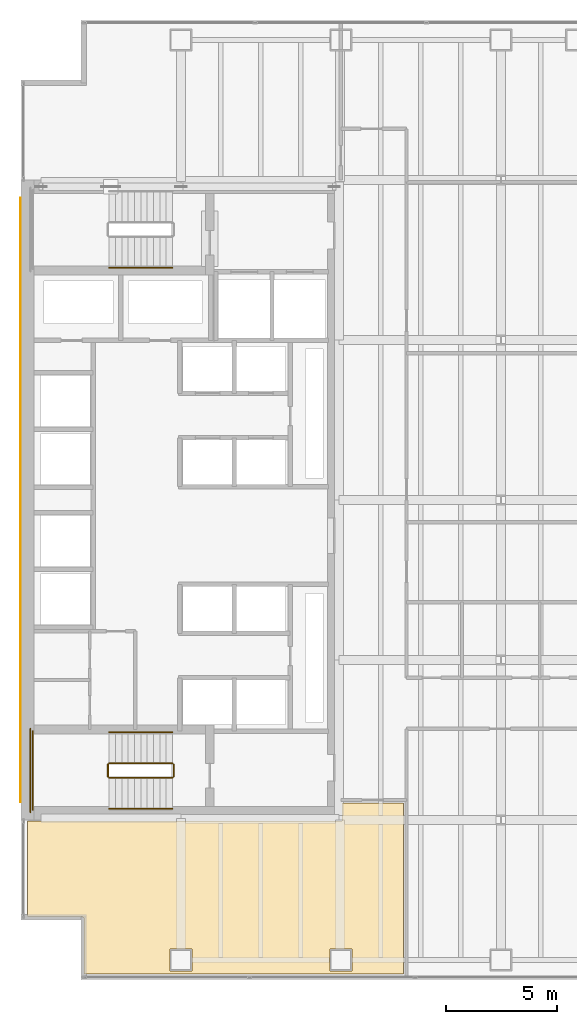
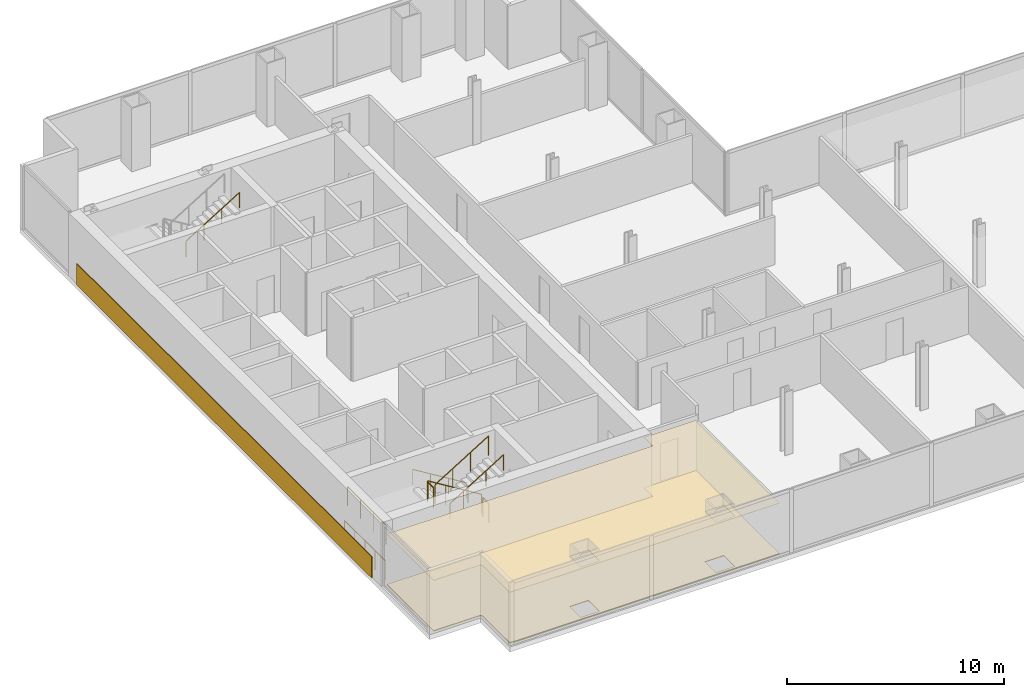
# One storey, part 23 of 25: 9 railings, 3 coverings.
"""IFC4 building model written with IfcOpenShell, lengths in metres."""

from ifc_helpers import new_model, si_unit, direction, frame, origin, origin_2d, place, context, subcontext, project, spatial, polyline, circle, outline, extrude, material, layer, layer_set, type_object, element, save


model = new_model("IFC4")

# Units and contexts
model_context = context("Model", 3, precision=1e-05, world=origin(), true_north=direction((0.0, 1.0)))
body_context = subcontext(model_context, "Body", "Model", "MODEL_VIEW")
ifc_project = project(units=[si_unit("LENGTHUNIT", "METRE"), si_unit("AREAUNIT", "SQUARE_METRE"), si_unit("VOLUMEUNIT", "CUBIC_METRE"), si_unit("PLANEANGLEUNIT", "RADIAN"), si_unit("MASSUNIT", "GRAM", prefix="KILO")], contexts=[model_context])

# Site, building, storey
site_placement = place(None, origin())
site = spatial("IfcSite", under=ifc_project, at=site_placement, CompositionType="ELEMENT")
building_placement = place(site_placement, origin())
building = spatial("IfcBuilding", under=site, at=building_placement, Name="Cobrela Telecom Tower", CompositionType="ELEMENT")
storey_placement = place(building_placement, frame((0.0, 0.0, 61.949951171875)))
storey = spatial("IfcBuildingStorey", under=building, at=storey_placement, Name="L15", CompositionType="ELEMENT", Elevation=61.949951171875)

# Coverings
ifc_material_1 = material(Name="Mineral Fibre Acoustic Ceiling Tile")
ifc_layer_1 = layer(ifc_material_1, 0.02490234375)
ifc_layer_set_1 = layer_set([ifc_layer_1], Name="Mineral Fibre Acoustic Ceiling Tile")
covering_type_1 = type_object("IfcCoveringType", Name="COV-CEIL-ACT", PredefinedType="CEILING", material=ifc_layer_set_1)
covering_1_placement = place(storey_placement, frame((0.0, 0.0, 2.85009765625)))
element("IfcCovering", 1, at=covering_1_placement, inside=storey, type_object=covering_type_1, Name="L15 Staff Fitness Gym 6 Suspended Acoustic Ceiling", PredefinedType="CEILING", context=body_context, shape_type="SweptSolid", body=[
    extrude(outline(polyline([(2.85009765625, 2.7109375), (2.849365234375, 2.7236328125), (2.847412109375, 2.7373046875), (2.843994140625, 2.75048828125), (2.83935546875, 2.763671875), (2.83349609375, 2.77587890625), (2.826416015625, 2.787841796875), (2.818359375, 2.798828125), (2.80908203125, 2.80908203125), (2.798828125, 2.818359375), (2.787841796875, 2.826416015625), (2.77587890625, 2.83349609375), (2.763671875, 2.83935546875), (2.75048828125, 2.843994140625), (2.7373046875, 2.847412109375), (2.7236328125, 2.849365234375), (2.7109375, 2.85009765625), (0.2900390625, 2.85009765625), (0.2900390625, 7.159912109375), (14.43994140625, 7.159912109375), (14.43994140625, 7.9599609375), (17.2099609375, 7.9599609375), (17.2099609375, 0.260009765625), (2.85009765625, 0.260009765625), (2.85009765625, 2.7109375)]), holes=[polyline([(7.699951171875, 1.39990234375), (6.699951171875, 1.39990234375), (6.699951171875, 0.39990234375), (7.699951171875, 0.39990234375), (7.699951171875, 1.39990234375)]), polyline([(14.89990234375, 0.39990234375), (14.89990234375, 1.39990234375), (13.89990234375, 1.39990234375), (13.89990234375, 0.39990234375), (14.89990234375, 0.39990234375)])]), origin(), (0.0, 0.0, 1.0), 0.02490234375),
])
ifc_material_2 = material(Name="Bogota Terracotta Architectural Stone", Category="masonry")
ifc_layer_2 = layer(ifc_material_2, 0.0400390625)
ifc_layer_set_2 = layer_set([ifc_layer_2], Name="Bogota Terracotta Architectural Stone")
covering_type_2 = type_object("IfcCoveringType", Name="COV-CLAD-TERRA", PredefinedType="CLADDING", material=ifc_layer_set_2)
covering_2_placement = place(storey_placement, origin())
element("IfcCovering", 2, at=covering_2_placement, inside=storey, type_object=covering_type_2, Name="L15 West Core Terracotta Spandrel Cladding Band", PredefinedType="CLADDING", context=body_context, shape_type="SweptSolid", body=[
    extrude(outline(polyline([(-0.0400390625, 8.0), (0.0, 8.0), (0.0, 35.199951171875), (-0.0400390625, 35.199951171875), (-0.0400390625, 8.0)])), origin(), (0.0, 0.0, 1.0), 1.199951171875),
])
ifc_material_3 = material(Name="Honed Colombian Basalt Stone", Category="masonry")
ifc_layer_3 = layer(ifc_material_3, 0.0400390625)
ifc_layer_set_3 = layer_set([ifc_layer_3], Name="Honed Colombian Basalt Stone")
covering_type_3 = type_object("IfcCoveringType", Name="COV-FLR-STONE", PredefinedType="FLOORING", material=ifc_layer_set_3)
covering_3_placement = place(storey_placement, origin())
element("IfcCovering", 3, at=covering_3_placement, inside=storey, type_object=covering_type_3, Name="L15 Staff Fitness Gym 6 Raised Technical Flooring", PredefinedType="FLOORING", context=body_context, shape_type="SweptSolid", body=[
    extrude(outline(polyline([(2.85009765625, 2.7109375), (2.849365234375, 2.7236328125), (2.847412109375, 2.7373046875), (2.843994140625, 2.75048828125), (2.83935546875, 2.763671875), (2.83349609375, 2.77587890625), (2.826416015625, 2.787841796875), (2.818359375, 2.798828125), (2.80908203125, 2.80908203125), (2.798828125, 2.818359375), (2.787841796875, 2.826416015625), (2.77587890625, 2.83349609375), (2.763671875, 2.83935546875), (2.75048828125, 2.843994140625), (2.7373046875, 2.847412109375), (2.7236328125, 2.849365234375), (2.7109375, 2.85009765625), (0.2900390625, 2.85009765625), (0.2900390625, 7.159912109375), (14.43994140625, 7.159912109375), (14.43994140625, 7.9599609375), (17.2099609375, 7.9599609375), (17.2099609375, 0.260009765625), (2.85009765625, 0.260009765625), (2.85009765625, 2.7109375)]), holes=[polyline([(7.699951171875, 1.39990234375), (6.699951171875, 1.39990234375), (6.699951171875, 0.39990234375), (7.699951171875, 0.39990234375), (7.699951171875, 1.39990234375)]), polyline([(14.89990234375, 0.39990234375), (14.89990234375, 1.39990234375), (13.89990234375, 1.39990234375), (13.89990234375, 0.39990234375), (14.89990234375, 0.39990234375)])]), origin(), (0.0, 0.0, 1.0), 0.0400390625),
])

# Railings
ifc_material_4 = material(Name="Steel ASTM A36", Category="steel")
railing_type_1 = type_object("IfcRailingType", Name="RAIL-GUARD-1100", PredefinedType="GUARDRAIL", material=ifc_material_4)
railing_1_placement = place(storey_placement, frame((6.820068359375, 9.75, 0.175048828125)))
element("IfcRailing", 4, at=railing_1_placement, inside=storey, type_object=railing_type_1, Name="L15 ST2 stair guard 1", PredefinedType="GUARDRAIL", context=body_context, shape_type="SweptSolid", body=[
    extrude(circle(Radius=0.02392578125, at=origin_2d()), frame((0.0, 0.0, 1.076171875), z_axis=(-0.852179220489, 0.0, 0.52325001306), x_axis=(0.0, -1.0, 0.0)), (0.0, 0.0, 1.0), 3.344482421875),
    extrude(circle(Radius=0.02099609375, at=origin_2d()), origin(), (0.0, 0.0, 1.0), 1.052001953125),
    extrude(circle(Radius=0.02099609375, at=origin_2d()), frame((-0.949951171875, 0.0, 0.583251953125)), (0.0, 0.0, 1.0), 1.052001953125),
    extrude(circle(Radius=0.02099609375, at=origin_2d()), frame((-1.900146484375, 0.0, 1.166748046875)), (0.0, 0.0, 1.0), 1.052001953125),
    extrude(circle(Radius=0.02099609375, at=origin_2d()), frame((-2.85009765625, 0.0, 1.75)), (0.0, 0.0, 1.0), 1.052001953125),
])
railing_2_placement = place(storey_placement, frame((3.919921875, 9.699951171875, 1.925048828125)))
element("IfcRailing", 5, at=railing_2_placement, inside=storey, type_object=railing_type_1, Name="L15 ST2 stair guard 2", PredefinedType="GUARDRAIL", context=body_context, shape_type="SweptSolid", body=[
    extrude(circle(Radius=0.02392578125, at=origin_2d()), frame((0.0, 0.0, 1.076171875), z_axis=(0.0, -1.0, 0.0), x_axis=(1.0, 0.0, 0.0)), (0.0, 0.0, 1.0), 0.550048828125),
    extrude(circle(Radius=0.02099609375, at=origin_2d()), origin(), (0.0, 0.0, 1.0), 1.052001953125),
    extrude(circle(Radius=0.02099609375, at=origin_2d()), frame((0.0, -0.550048828125, 0.0)), (0.0, 0.0, 1.0), 1.052001953125),
])
railing_3_placement = place(storey_placement, frame((0.530029296875, 11.199951171875, 1.925048828125)))
element("IfcRailing", 6, at=railing_3_placement, inside=storey, type_object=railing_type_1, Name="L15 ST2 stair guard 3", PredefinedType="GUARDRAIL", context=body_context, shape_type="SweptSolid", body=[
    extrude(circle(Radius=0.02392578125, at=origin_2d()), frame((0.0, 0.0, 1.076171875), z_axis=(0.0, -1.0, 0.0), x_axis=(1.0, 0.0, 0.0)), (0.0, 0.0, 1.0), 3.550048828125),
    extrude(circle(Radius=0.02099609375, at=origin_2d()), origin(), (0.0, 0.0, 1.0), 1.052001953125),
    extrude(circle(Radius=0.02099609375, at=origin_2d()), frame((0.0, -1.183349609375, 0.0)), (0.0, 0.0, 1.0), 1.052001953125),
    extrude(circle(Radius=0.02099609375, at=origin_2d()), frame((0.0, -2.36669921875, 0.0)), (0.0, 0.0, 1.0), 1.052001953125),
    extrude(circle(Radius=0.02099609375, at=origin_2d()), frame((0.0, -3.550048828125, 0.0)), (0.0, 0.0, 1.0), 1.052001953125),
])
railing_4_placement = place(storey_placement, frame((3.969970703125, 9.10009765625, 2.10009765625)))
element("IfcRailing", 7, at=railing_4_placement, inside=storey, type_object=railing_type_1, Name="L15 ST2 stair guard 4", PredefinedType="GUARDRAIL", context=body_context, shape_type="SweptSolid", body=[
    extrude(circle(Radius=0.02392578125, at=origin_2d()), frame((0.0, 0.0, 1.076171875), z_axis=(0.852179220489, 0.0, 0.52325001306), x_axis=(0.0, 1.0, 0.0)), (0.0, 0.0, 1.0), 3.344482421875),
    extrude(circle(Radius=0.02099609375, at=origin_2d()), origin(), (0.0, 0.0, 1.0), 1.052001953125),
    extrude(circle(Radius=0.02099609375, at=origin_2d()), frame((0.949951171875, 0.0, 0.583251953125)), (0.0, 0.0, 1.0), 1.052001953125),
    extrude(circle(Radius=0.02099609375, at=origin_2d()), frame((1.900146484375, 0.0, 1.166748046875)), (0.0, 0.0, 1.0), 1.052001953125),
    extrude(circle(Radius=0.02099609375, at=origin_2d()), frame((2.85009765625, 0.0, 1.75)), (0.0, 0.0, 1.0), 1.052001953125),
])
railing_5_placement = place(storey_placement, frame((6.8701171875, 9.699951171875, 0.0)))
element("IfcRailing", 8, at=railing_5_placement, inside=storey, type_object=railing_type_1, Name="L15 ST2 stair guard 5", PredefinedType="GUARDRAIL", context=body_context, shape_type="SweptSolid", body=[
    extrude(circle(Radius=0.02392578125, at=origin_2d()), frame((0.0, 0.0, 1.076171875), z_axis=(0.0, -1.0, 0.0), x_axis=(1.0, 0.0, 0.0)), (0.0, 0.0, 1.0), 0.550048828125),
    extrude(circle(Radius=0.02099609375, at=origin_2d()), origin(), (0.0, 0.0, 1.0), 1.052001953125),
    extrude(circle(Radius=0.02099609375, at=origin_2d()), frame((0.0, -0.550048828125, 0.0)), (0.0, 0.0, 1.0), 1.052001953125),
])
railing_6_placement = place(storey_placement, frame((0.429931640625, 11.300048828125, 0.0)))
element("IfcRailing", 9, at=railing_6_placement, inside=storey, type_object=railing_type_1, Name="L15 ST2 stair guard 6", PredefinedType="GUARDRAIL", context=body_context, shape_type="SweptSolid", body=[
    extrude(circle(Radius=0.02392578125, at=origin_2d()), frame((0.0, 0.0, 1.076171875), z_axis=(0.0, -1.0, 0.0), x_axis=(1.0, 0.0, 0.0)), (0.0, 0.0, 1.0), 3.75),
    extrude(circle(Radius=0.02099609375, at=origin_2d()), origin(), (0.0, 0.0, 1.0), 1.052001953125),
    extrude(circle(Radius=0.02099609375, at=origin_2d()), frame((0.0, -0.9375, 0.0)), (0.0, 0.0, 1.0), 1.052001953125),
    extrude(circle(Radius=0.02099609375, at=origin_2d()), frame((0.0, -1.875, 0.0)), (0.0, 0.0, 1.0), 1.052001953125),
    extrude(circle(Radius=0.02099609375, at=origin_2d()), frame((0.0, -2.8125, 0.0)), (0.0, 0.0, 1.0), 1.052001953125),
    extrude(circle(Radius=0.02099609375, at=origin_2d()), frame((0.0, -3.75, 0.0)), (0.0, 0.0, 1.0), 1.052001953125),
])
railing_type_2 = type_object("IfcRailingType", Name="RAIL-HAND-920", PredefinedType="HANDRAIL", material=ifc_material_4)
railing_7_placement = place(storey_placement, frame((3.969970703125, 32.050048828125, 2.10009765625)))
element("IfcRailing", 10, at=railing_7_placement, inside=storey, type_object=railing_type_2, Name="L15 ST1 stair handrail 2", PredefinedType="HANDRAIL", context=body_context, shape_type="SweptSolid", body=[
    extrude(circle(Radius=0.02392578125, at=origin_2d()), frame((0.0, 0.0, 0.8759765625), z_axis=(0.852179220489, 0.0, 0.52325001306), x_axis=(0.0, 1.0, 0.0)), (0.0, 0.0, 1.0), 3.344482421875),
    extrude(circle(Radius=0.02099609375, at=origin_2d()), origin(), (0.0, 0.0, 1.0), 0.851806640625),
    extrude(circle(Radius=0.02099609375, at=origin_2d()), frame((0.949951171875, 0.0, 0.583251953125)), (0.0, 0.0, 1.0), 0.851806640625),
    extrude(circle(Radius=0.02099609375, at=origin_2d()), frame((1.900146484375, 0.0, 1.166748046875)), (0.0, 0.0, 1.0), 0.851806640625),
    extrude(circle(Radius=0.02099609375, at=origin_2d()), frame((2.85009765625, 0.0, 1.75)), (0.0, 0.0, 1.0), 0.851806640625),
])
railing_8_placement = place(storey_placement, frame((6.820068359375, 11.14990234375, 0.175048828125)))
element("IfcRailing", 11, at=railing_8_placement, inside=storey, type_object=railing_type_2, Name="L15 ST2 stair handrail 1", PredefinedType="HANDRAIL", context=body_context, shape_type="SweptSolid", body=[
    extrude(circle(Radius=0.02392578125, at=origin_2d()), frame((0.0, 0.0, 0.8759765625), z_axis=(-0.852179220489, 0.0, 0.52325001306), x_axis=(0.0, -1.0, 0.0)), (0.0, 0.0, 1.0), 3.344482421875),
    extrude(circle(Radius=0.02099609375, at=origin_2d()), origin(), (0.0, 0.0, 1.0), 0.851806640625),
    extrude(circle(Radius=0.02099609375, at=origin_2d()), frame((-0.949951171875, 0.0, 0.583251953125)), (0.0, 0.0, 1.0), 0.851806640625),
    extrude(circle(Radius=0.02099609375, at=origin_2d()), frame((-1.900146484375, 0.0, 1.166748046875)), (0.0, 0.0, 1.0), 0.851806640625),
    extrude(circle(Radius=0.02099609375, at=origin_2d()), frame((-2.85009765625, 0.0, 1.75)), (0.0, 0.0, 1.0), 0.851806640625),
])
railing_9_placement = place(storey_placement, frame((3.969970703125, 7.699951171875, 2.10009765625)))
element("IfcRailing", 12, at=railing_9_placement, inside=storey, type_object=railing_type_2, Name="L15 ST2 stair handrail 2", PredefinedType="HANDRAIL", context=body_context, shape_type="SweptSolid", body=[
    extrude(circle(Radius=0.02392578125, at=origin_2d()), frame((0.0, 0.0, 0.8759765625), z_axis=(0.852179220489, 0.0, 0.52325001306), x_axis=(0.0, 1.0, 0.0)), (0.0, 0.0, 1.0), 3.344482421875),
    extrude(circle(Radius=0.02099609375, at=origin_2d()), origin(), (0.0, 0.0, 1.0), 0.851806640625),
    extrude(circle(Radius=0.02099609375, at=origin_2d()), frame((0.949951171875, 0.0, 0.583251953125)), (0.0, 0.0, 1.0), 0.851806640625),
    extrude(circle(Radius=0.02099609375, at=origin_2d()), frame((1.900146484375, 0.0, 1.166748046875)), (0.0, 0.0, 1.0), 0.851806640625),
    extrude(circle(Radius=0.02099609375, at=origin_2d()), frame((2.85009765625, 0.0, 1.75)), (0.0, 0.0, 1.0), 0.851806640625),
])

save(model, "model.ifc")
